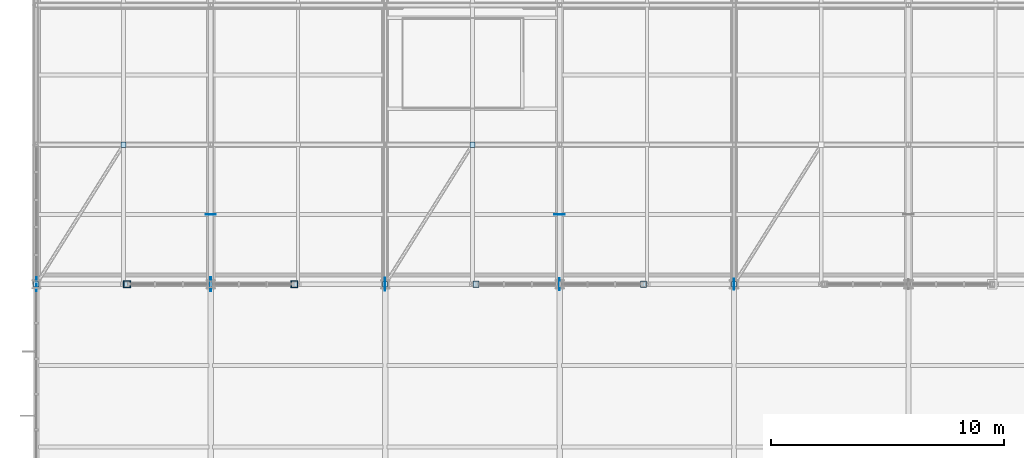
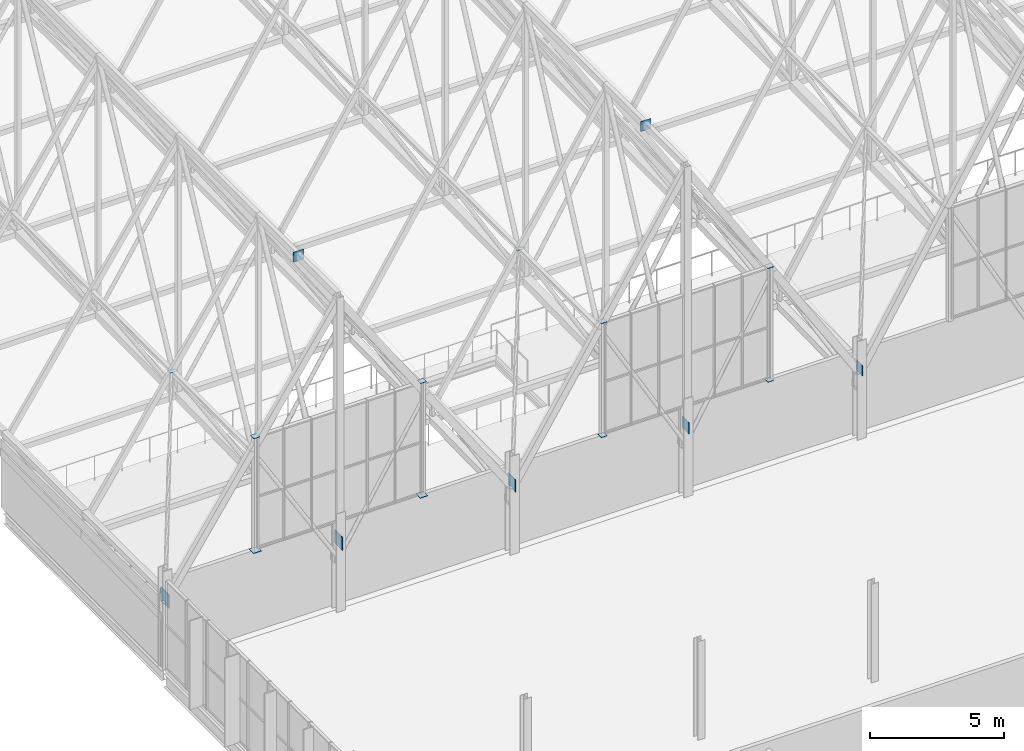
# One storey, part 291 of 324: 20 plates.
"""IFC4 building model written with IfcOpenShell, lengths in metres."""

from ifc_helpers import new_model, si_unit, direction, frame, origin, origin_2d, place, context, subcontext, project, spatial, rectangle, extrude, material, layer, layer_set, type_object, element, save


model = new_model("IFC4")

# Units and contexts
model_context = context("Model", 3, precision=1e-05, world=origin(), true_north=direction((0.0, 1.0)))
body_context = subcontext(model_context, "Body", "Model", "MODEL_VIEW")
ifc_project = project(units=[si_unit("LENGTHUNIT", "METRE"), si_unit("AREAUNIT", "SQUARE_METRE"), si_unit("VOLUMEUNIT", "CUBIC_METRE"), si_unit("PLANEANGLEUNIT", "RADIAN"), si_unit("MASSUNIT", "GRAM", prefix="KILO")], contexts=[model_context])

# Site, building, storey
site_placement = place(None, origin())
site = spatial("IfcSite", under=ifc_project, at=site_placement, CompositionType="ELEMENT")
building_placement = place(site_placement, origin())
building = spatial("IfcBuilding", under=site, at=building_placement, Name="Solvenia Promenade Tram Depot", CompositionType="ELEMENT")
storey_placement = place(building_placement, frame((0.0, 0.0, 4.5)))
storey = spatial("IfcBuildingStorey", under=building, at=storey_placement, Name="L01", CompositionType="ELEMENT", Elevation=4.5)

# Plates
ifc_material = material(Name="Structural steel ASTM A572 Gr. 50", Category="steel")
ifc_layer_1 = layer(ifc_material, 0.02001953125, Name="Structural steel ASTM A572 Gr. 50", Category="steel")
ifc_layer_set_1 = layer_set([ifc_layer_1], Name="Structural steel ASTM A572 Gr. 50")
plate_type_1 = type_object("IfcPlateType", Name="EndCap-CP4", PredefinedType="SHEET", material=ifc_layer_set_1)
plate_1_placement = place(storey_placement, frame((3.89990234375, 66.0, 3.93994140625), z_axis=(0.0, 0.0, 1.0), x_axis=(1.0, 0.0, 0.0)))
element("IfcPlate", 1, at=plate_1_placement, inside=storey, type_object=plate_type_1, Name="Gable Jamb Bottom Cap Plate 003", PredefinedType="SHEET", context=body_context, shape_type="SweptSolid", body=[
    extrude(rectangle(XDim=0.340087890625, YDim=0.340087890625, at=origin_2d()), origin(), (0.0, 0.0, 1.0), 0.02001953125),
])
for number, where, z_axis, x_axis, name in (
    (2, (3.89990234375, 66.0, 9.141845703125), (0.0, 0.0, 1.0), (1.0, 0.0, 0.0), "Gable Jamb Top Cap Plate 003"),
    (3, (11.10009765625, 66.0, 9.141845703125), (0.0, 0.0, 1.0), (1.0, 0.0, 0.0), "Gable Jamb Top Cap Plate 004"),
    (4, (18.89990234375, 66.0, 9.141845703125), (0.0, 0.0, 1.0), (1.0, 0.0, 0.0), "Gable Jamb Top Cap Plate 007"),
    (5, (26.10009765625, 66.0, 9.141845703125), (0.0, 0.0, 1.0), (1.0, 0.0, 0.0), "Gable Jamb Top Cap Plate 008"),
):
    element("IfcPlate", number, at=place(storey_placement, frame(where, z_axis=z_axis, x_axis=x_axis)), inside=storey, type_object=plate_type_1, Name=name, PredefinedType="SHEET", context=body_context, shape_type="SweptSolid", body=[
        extrude(rectangle(XDim=0.260009765625, YDim=0.260009765625, at=origin_2d()), origin(), (0.0, 0.0, 1.0), 0.01611328125),
    ])
ifc_layer_2 = layer(ifc_material, 0.01904296875, Name="Structural steel ASTM A572 Gr. 50", Category="steel")
ifc_layer_set_2 = layer_set([ifc_layer_2], Name="Structural steel ASTM A572 Gr. 50")
plate_type_2 = type_object("IfcPlateType", Name="EndCap-CP5", PredefinedType="SHEET", material=ifc_layer_set_2)
for number, where, z_axis, x_axis, name in (
    (6, (0.0, 66.0, 2.947509765625), (0.0, 0.0, 1.0), (1.0, 0.0, 0.0), "Roof Brace Node Plate 001A"),
    (7, (3.75, 72.0, 8.534912109375), (0.0, 0.0, 1.0), (1.0, 0.0, 0.0), "Roof Brace Node Plate 001B"),
    (8, (15.0, 66.0, 2.93310546875), (0.0, 0.0, 1.0), (1.0, 0.0, 0.0), "Roof Brace Node Plate 003A"),
    (9, (18.75, 72.0, 8.878173828125), (0.0, 0.0, 1.0), (1.0, 0.0, 0.0), "Roof Brace Node Plate 003B"),
    (10, (30.0, 66.0, 2.920654296875), (0.0, 0.0, 1.0), (1.0, 0.0, 0.0), "Roof Brace Node Plate 005A"),
):
    element("IfcPlate", number, at=place(storey_placement, frame(where, z_axis=z_axis, x_axis=x_axis)), inside=storey, type_object=plate_type_2, Name=name, PredefinedType="SHEET", context=body_context, shape_type="SweptSolid", body=[
        extrude(rectangle(XDim=0.219970703125, YDim=0.219970703125, at=origin_2d()), origin(), (0.0, 0.0, 1.0), 0.01904296875),
    ])
plate_2_placement = place(storey_placement, frame((11.10009765625, 66.0, 3.9404296875), z_axis=(0.0, 0.0, 1.0), x_axis=(1.0, 0.0, 0.0)))
element("IfcPlate", 11, at=plate_2_placement, inside=storey, type_object=plate_type_2, Name="Gable Jamb Bottom Cap Plate 004", PredefinedType="SHEET", context=body_context, shape_type="SweptSolid", body=[
    extrude(rectangle(XDim=0.320068359375, YDim=0.320068359375, at=origin_2d()), origin(), (0.0, 0.0, 1.0), 0.01904296875),
])
ifc_layer_3 = layer(ifc_material, 0.01611328125, Name="Structural steel ASTM A572 Gr. 50", Category="steel")
ifc_layer_set_3 = layer_set([ifc_layer_3], Name="Structural steel ASTM A572 Gr. 50")
plate_type_3 = type_object("IfcPlateType", Name="EndCap-CP8", PredefinedType="SHEET", material=ifc_layer_set_3)
plate_3_placement = place(storey_placement, frame((18.89990234375, 66.0, 3.94189453125), z_axis=(0.0, 0.0, 1.0), x_axis=(1.0, 0.0, 0.0)))
element("IfcPlate", 12, at=plate_3_placement, inside=storey, type_object=plate_type_3, Name="Gable Jamb Bottom Cap Plate 007", PredefinedType="SHEET", context=body_context, shape_type="SweptSolid", body=[
    extrude(rectangle(XDim=0.260009765625, YDim=0.260009765625, at=origin_2d()), origin(), (0.0, 0.0, 1.0), 0.01611328125),
])
ifc_layer_4 = layer(ifc_material, 0.014892578125, Name="Structural steel ASTM A572 Gr. 50", Category="steel")
ifc_layer_set_4 = layer_set([ifc_layer_4], Name="Structural steel ASTM A572 Gr. 50")
plate_type_4 = type_object("IfcPlateType", Name="EndCap-CP9", PredefinedType="SHEET", material=ifc_layer_set_4)
plate_4_placement = place(storey_placement, frame((26.10009765625, 66.0, 3.9423828125), z_axis=(0.0, 0.0, 1.0), x_axis=(1.0, 0.0, 0.0)))
element("IfcPlate", 13, at=plate_4_placement, inside=storey, type_object=plate_type_4, Name="Gable Jamb Bottom Cap Plate 008", PredefinedType="SHEET", context=body_context, shape_type="SweptSolid", body=[
    extrude(rectangle(XDim=0.239990234375, YDim=0.239990234375, at=origin_2d()), origin(), (0.0, 0.0, 1.0), 0.014892578125),
])
ifc_layer_5 = layer(ifc_material, 0.02587890625, Name="Structural steel ASTM A572 Gr. 50", Category="steel")
ifc_layer_set_5 = layer_set([ifc_layer_5], Name="Structural steel ASTM A572 Gr. 50")
plate_type_5 = type_object("IfcPlateType", Name="Gusset-GP2", PredefinedType="USERDEFINED", material=ifc_layer_set_5)
plate_5_placement = place(storey_placement, frame((0.0, 66.0, 2.83984375), z_axis=(0.0, 0.0, 1.0), x_axis=(1.0, 0.0, 0.0)))
element("IfcPlate", 14, at=plate_5_placement, inside=storey, type_object=plate_type_5, Name="Arched Truss Shoe Gusset 1S", ObjectType="GUSSET PLATE", PredefinedType="USERDEFINED", context=body_context, shape_type="SweptSolid", body=[
    extrude(rectangle(XDim=0.02587890625, YDim=0.6201171875, at=origin_2d()), origin(), (0.0, 0.0, 1.0), 0.6201171875),
])
ifc_layer_6 = layer(ifc_material, 0.02490234375, Name="Structural steel ASTM A572 Gr. 50", Category="steel")
ifc_layer_set_6 = layer_set([ifc_layer_6], Name="Structural steel ASTM A572 Gr. 50")
plate_type_6 = type_object("IfcPlateType", Name="Gusset-GP3", PredefinedType="USERDEFINED", material=ifc_layer_set_6)
plate_6_placement = place(storey_placement, frame((7.5, 66.0, 2.849853515625), z_axis=(0.0, 0.0, 1.0), x_axis=(1.0, 0.0, 0.0)))
element("IfcPlate", 15, at=plate_6_placement, inside=storey, type_object=plate_type_6, Name="Arched Truss Shoe Gusset 2S", ObjectType="GUSSET PLATE", PredefinedType="USERDEFINED", context=body_context, shape_type="SweptSolid", body=[
    extrude(rectangle(XDim=0.02490234375, YDim=0.60009765625, at=origin_2d()), origin(), (0.0, 0.0, 1.0), 0.60009765625),
])
ifc_layer_7 = layer(ifc_material, 0.02392578125, Name="Structural steel ASTM A572 Gr. 50", Category="steel")
ifc_layer_set_7 = layer_set([ifc_layer_7], Name="Structural steel ASTM A572 Gr. 50")
plate_type_7 = type_object("IfcPlateType", Name="Gusset-GP4", PredefinedType="USERDEFINED", material=ifc_layer_set_7)
plate_7_placement = place(storey_placement, frame((7.5, 69.0, 14.10009765625), z_axis=(0.0, 0.0, 1.0), x_axis=(1.0, 0.0, 0.0)))
element("IfcPlate", 16, at=plate_7_placement, inside=storey, type_object=plate_type_7, Name="Ridge Node Gusset T02-S01", ObjectType="GUSSET PLATE", PredefinedType="USERDEFINED", context=body_context, shape_type="SweptSolid", body=[
    extrude(rectangle(XDim=0.449951171875, YDim=0.02001953125, at=origin_2d()), origin(), (0.0, 0.0, 1.0), 0.449951171875),
])
plate_8_placement = place(storey_placement, frame((15.0, 66.0, 2.869873046875), z_axis=(0.0, 0.0, 1.0), x_axis=(1.0, 0.0, 0.0)))
element("IfcPlate", 17, at=plate_8_placement, inside=storey, type_object=plate_type_7, Name="Arched Truss Shoe Gusset 3S", ObjectType="GUSSET PLATE", PredefinedType="USERDEFINED", context=body_context, shape_type="SweptSolid", body=[
    extrude(rectangle(XDim=0.02392578125, YDim=0.56005859375, at=origin_2d()), origin(), (0.0, 0.0, 1.0), 0.56005859375),
])
plate_9_placement = place(storey_placement, frame((22.5, 69.0, 14.81494140625), z_axis=(0.0, 0.0, 1.0), x_axis=(1.0, 0.0, 0.0)))
element("IfcPlate", 18, at=plate_9_placement, inside=storey, type_object=plate_type_7, Name="Ridge Node Gusset T04-S01", ObjectType="GUSSET PLATE", PredefinedType="USERDEFINED", context=body_context, shape_type="SweptSolid", body=[
    extrude(rectangle(XDim=0.449951171875, YDim=0.02001953125, at=origin_2d()), origin(), (0.0, 0.0, 1.0), 0.449951171875),
])
ifc_layer_8 = layer(ifc_material, 0.02197265625, Name="Structural steel ASTM A572 Gr. 50", Category="steel")
ifc_layer_set_8 = layer_set([ifc_layer_8], Name="Structural steel ASTM A572 Gr. 50")
plate_type_8 = type_object("IfcPlateType", Name="Gusset-GP5", PredefinedType="USERDEFINED", material=ifc_layer_set_8)
plate_10_placement = place(storey_placement, frame((22.5, 66.0, 2.889892578125), z_axis=(0.0, 0.0, 1.0), x_axis=(1.0, 0.0, 0.0)))
element("IfcPlate", 19, at=plate_10_placement, inside=storey, type_object=plate_type_8, Name="Arched Truss Shoe Gusset 4S", ObjectType="GUSSET PLATE", PredefinedType="USERDEFINED", context=body_context, shape_type="SweptSolid", body=[
    extrude(rectangle(XDim=0.02197265625, YDim=0.52001953125, at=origin_2d()), origin(), (0.0, 0.0, 1.0), 0.52001953125),
])
ifc_layer_9 = layer(ifc_material, 0.02099609375, Name="Structural steel ASTM A572 Gr. 50", Category="steel")
ifc_layer_set_9 = layer_set([ifc_layer_9], Name="Structural steel ASTM A572 Gr. 50")
plate_type_9 = type_object("IfcPlateType", Name="Gusset-GP6", PredefinedType="USERDEFINED", material=ifc_layer_set_9)
plate_11_placement = place(storey_placement, frame((30.0, 66.0, 2.909912109375), z_axis=(0.0, 0.0, 1.0), x_axis=(1.0, 0.0, 0.0)))
element("IfcPlate", 20, at=plate_11_placement, inside=storey, type_object=plate_type_9, Name="Arched Truss Shoe Gusset 5S", ObjectType="GUSSET PLATE", PredefinedType="USERDEFINED", context=body_context, shape_type="SweptSolid", body=[
    extrude(rectangle(XDim=0.02099609375, YDim=0.47998046875, at=origin_2d()), origin(), (0.0, 0.0, 1.0), 0.47998046875),
])

save(model, "model.ifc")
